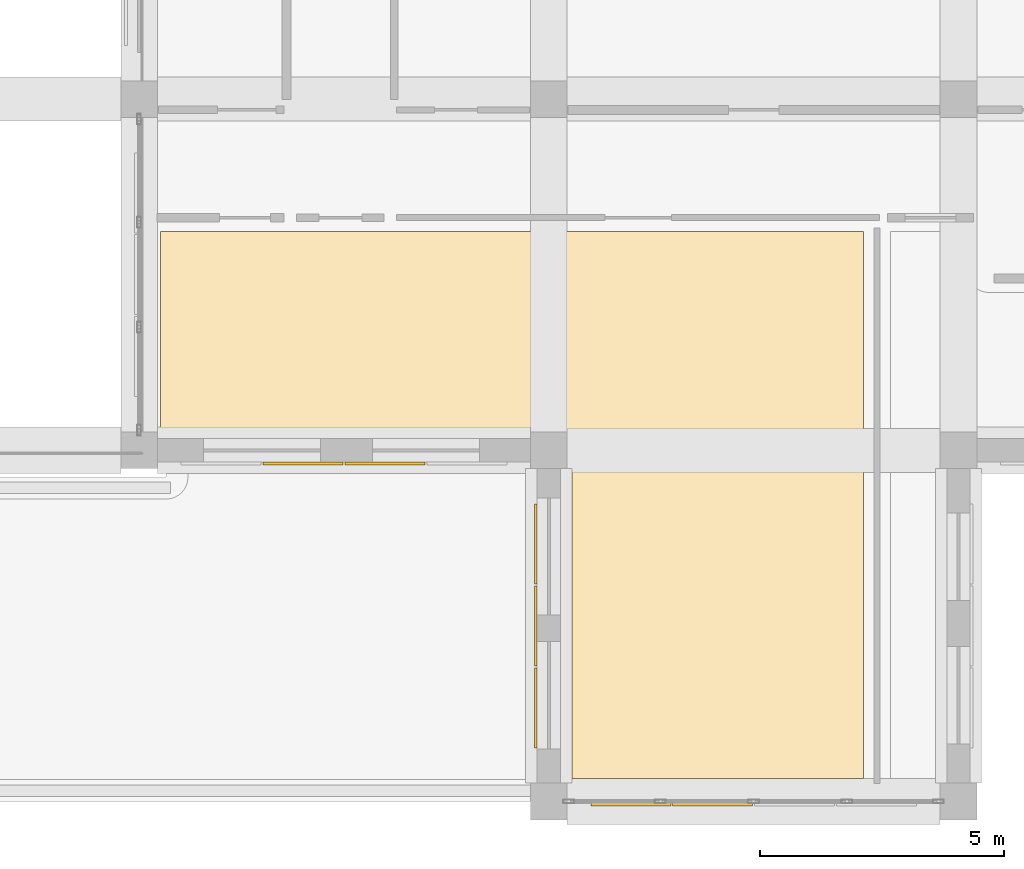
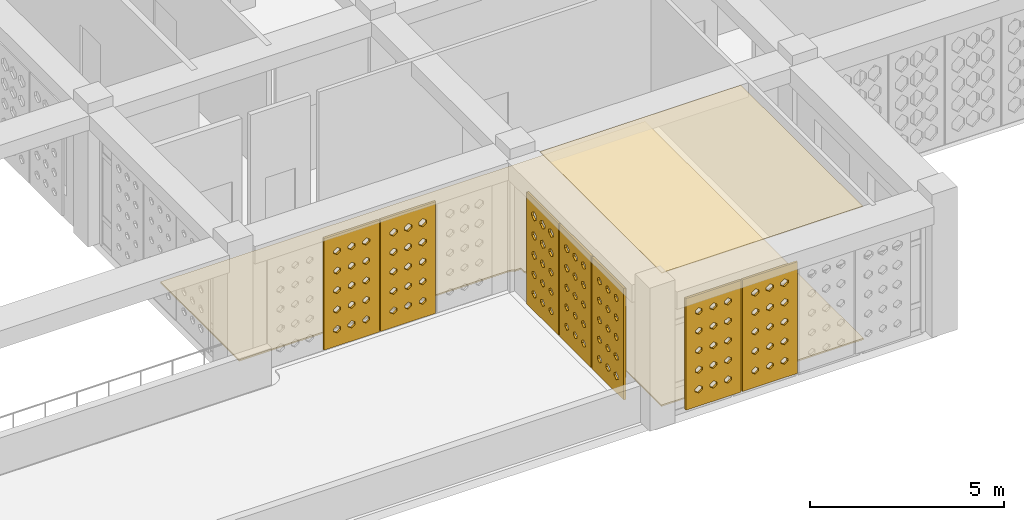
# One storey, part 82 of 111: 9 coverings.
"""IFC4 building model written with IfcOpenShell, lengths in metres."""

from ifc_helpers import new_model, si_unit, derived_unit, direction, frame, origin, place, context, subcontext, project, spatial, polyline, outline, extrude, material, layer, layer_set, type_object, element, save


model = new_model("IFC4")

# Units and contexts
model_context = context("Model", 3, precision=1e-05, world=origin(), true_north=direction((0.0, 1.0)))
body_context = subcontext(model_context, "Body", "Model", "MODEL_VIEW")
ifc_project = project(units=[si_unit("LENGTHUNIT", "METRE"), si_unit("AREAUNIT", "SQUARE_METRE"), si_unit("VOLUMEUNIT", "CUBIC_METRE"), si_unit("PLANEANGLEUNIT", "RADIAN"), si_unit("MASSUNIT", "GRAM", prefix="KILO"), derived_unit("THERMALTRANSMITTANCEUNIT", [(si_unit("POWERUNIT", "WATT"), 1), (si_unit("LENGTHUNIT", "METRE"), -2), (si_unit("THERMODYNAMICTEMPERATUREUNIT", "KELVIN"), -1)])], contexts=[model_context])

# Site, building, storey
site_placement = place(None, origin())
site = spatial("IfcSite", under=ifc_project, at=site_placement, CompositionType="ELEMENT")
building_placement = place(site_placement, origin())
building = spatial("IfcBuilding", under=site, at=building_placement, Name="Veybourne Emporium", CompositionType="ELEMENT")
storey_placement = place(building_placement, frame((0.0, 0.0, 9.89990234375)))
storey = spatial("IfcBuildingStorey", under=building, at=storey_placement, Name="L02", CompositionType="ELEMENT", Elevation=9.89990234375)

# Coverings
ifc_material_1 = material(Name="Mineral Acoustic Ceiling", Category="gypsum")
ifc_layer_1 = layer(ifc_material_1, 0.02490234375)
ifc_layer_set_1 = layer_set([ifc_layer_1], Name="Mineral Acoustic Ceiling")
covering_type_1 = type_object("IfcCoveringType", Name="Ceiling_CLG-01", PredefinedType="CEILING", material=ifc_layer_set_1)
covering_1_placement = place(storey_placement, frame((0.0, 0.0, 4.155029296875)))
element("IfcCovering", 1, at=covering_1_placement, inside=storey, type_object=covering_type_1, Name="L02 coffered acoustic ceiling 03", PredefinedType="CEILING", context=body_context, shape_type="SweptSolid", body=[
    extrude(outline(polyline([(82.050048828125, 0.472900390625), (76.072998046875, 0.472900390625), (76.072998046875, 6.751953125), (82.050048828125, 6.751953125), (82.050048828125, 0.472900390625)])), origin(), (0.0, 0.0, 1.0), 0.025146484375),
])
ifc_material_2 = material(Name="Venetian Terrazzo Flooring", Category="masonry")
ifc_layer_2 = layer(ifc_material_2, 0.044921875)
ifc_layer_set_2 = layer_set([ifc_layer_2], Name="Venetian Terrazzo Flooring")
covering_type_2 = type_object("IfcCoveringType", Name="Flooring_FLR-01", PredefinedType="FLOORING", material=ifc_layer_set_2)
covering_2_placement = place(storey_placement, origin())
element("IfcCovering", 2, at=covering_2_placement, inside=storey, type_object=covering_type_2, Name="L02 floor finish 03", PredefinedType="FLOORING", context=body_context, shape_type="SweptSolid", body=[
    extrude(outline(polyline([(76.0400390625, 7.199951171875), (76.039794921875, 7.2099609375), (76.03857421875, 7.2333984375), (76.03662109375, 7.2529296875), (76.033203125, 7.276123046875), (76.029296875, 7.29541015625), (76.023681640625, 7.318359375), (76.01806640625, 7.337158203125), (76.010009765625, 7.359375), (76.00244140625, 7.37744140625), (75.992431640625, 7.398681640625), (75.983154296875, 7.416015625), (75.97998046875, 7.42138671875), (75.97998046875, 7.580078125), (75.8212890625, 7.580078125), (75.81591796875, 7.583251953125), (75.798583984375, 7.592529296875), (75.77734375, 7.6025390625), (75.75927734375, 7.610107421875), (75.737060546875, 7.617919921875), (75.71826171875, 7.623779296875), (75.6953125, 7.62939453125), (75.676025390625, 7.63330078125), (75.65283203125, 7.63671875), (75.63330078125, 7.638671875), (75.60986328125, 7.6396484375), (75.60009765625, 7.639892578125), (67.639892578125, 7.639892578125), (67.639892578125, 11.68994140625), (82.050048828125, 11.68994140625), (82.050048828125, 0.43994140625), (76.0400390625, 0.43994140625), (76.0400390625, 7.199951171875)])), origin(), (0.0, 0.0, 1.0), 0.045166015625),
])
ifc_material_3 = material(Name="Warm-White Perforated Aluminium Screen Alloy", Category="aluminium")
ifc_layer_3 = layer(ifc_material_3, 0.06005859375)
ifc_layer_set_3 = layer_set([ifc_layer_3], Name="Warm-White Perforated Aluminium Screen Alloy")
covering_type_3 = type_object("IfcCoveringType", Name="WaveScreen_SCR-01", PredefinedType="CLADDING", material=ifc_layer_set_3)
covering_3_placement = place(storey_placement, frame((70.56005859375, 6.90185546875, 1.815185546875), z_axis=(0.0, 1.0, 0.0), x_axis=(-1.0, 0.0, 0.0)))
element("IfcCovering", 3, at=covering_3_placement, inside=storey, type_object=covering_type_3, Name="L02 wave-perforated aluminium screen SCR-01 (35.3)", PredefinedType="CLADDING", context=body_context, shape_type="SweptSolid", body=[
    extrude(outline(polyline([(-0.81982421875, -1.7548828125), (0.81982421875, -1.7548828125), (0.81982421875, 1.7548828125), (-0.81982421875, 1.7548828125), (-0.81982421875, -1.7548828125)]), holes=[polyline([(-0.433349609375, -1.114013671875), (-0.330078125, -1.18701171875), (-0.330078125, -1.26904296875), (-0.433349609375, -1.342041015625), (-0.53662109375, -1.26904296875), (-0.53662109375, -1.18701171875), (-0.433349609375, -1.114013671875)]), polyline([(-0.433349609375, -0.503173828125), (-0.33251953125, -0.57421875), (-0.33251953125, -0.65380859375), (-0.433349609375, -0.724853515625), (-0.533935546875, -0.65380859375), (-0.533935546875, -0.57421875), (-0.433349609375, -0.503173828125)]), polyline([(-0.433349609375, 0.110107421875), (-0.333251953125, 0.03955078125), (-0.333251953125, -0.03955078125), (-0.433349609375, -0.110107421875), (-0.533447265625, -0.03955078125), (-0.533447265625, 0.03955078125), (-0.433349609375, 0.110107421875)]), polyline([(-0.433349609375, 0.7255859375), (-0.33203125, 0.654296875), (-0.33203125, 0.57373046875), (-0.433349609375, 0.50244140625), (-0.53466796875, 0.57373046875), (-0.53466796875, 0.654296875), (-0.433349609375, 0.7255859375)]), polyline([(-0.433349609375, 1.343505859375), (-0.32861328125, 1.26953125), (-0.32861328125, 1.186279296875), (-0.433349609375, 1.1123046875), (-0.537841796875, 1.186279296875), (-0.537841796875, 1.26953125), (-0.433349609375, 1.343505859375)]), polyline([(0.0, -1.11181640625), (0.105224609375, -1.18603515625), (0.105224609375, -1.27001953125), (0.0, -1.34423828125), (-0.105224609375, -1.27001953125), (-0.105224609375, -1.18603515625), (0.0, -1.11181640625)]), polyline([(0.0, -0.501953125), (0.101806640625, -0.57373046875), (0.101806640625, -0.654296875), (0.0, -0.72607421875), (-0.101806640625, -0.654296875), (-0.101806640625, -0.57373046875), (0.0, -0.501953125)]), polyline([(0.0, 0.110107421875), (0.10009765625, 0.03955078125), (0.10009765625, -0.03955078125), (0.0, -0.110107421875), (-0.10009765625, -0.03955078125), (-0.10009765625, 0.03955078125), (0.0, 0.110107421875)]), polyline([(0.0, 0.724609375), (0.1005859375, 0.65380859375), (0.1005859375, 0.57421875), (0.0, 0.50341796875), (-0.1005859375, 0.57421875), (-0.1005859375, 0.65380859375), (0.0, 0.724609375)]), polyline([(0.0, 1.341552734375), (0.102783203125, 1.268798828125), (0.102783203125, 1.18701171875), (0.0, 1.114501953125), (-0.102783203125, 1.18701171875), (-0.102783203125, 1.268798828125), (0.0, 1.341552734375)]), polyline([(0.433349609375, -1.10888671875), (0.540771484375, -1.185302734375), (0.540771484375, -1.270751953125), (0.433349609375, -1.346923828125), (0.325927734375, -1.270751953125), (0.325927734375, -1.185302734375), (0.433349609375, -1.10888671875)]), polyline([(0.433349609375, -0.500244140625), (0.536376953125, -0.572998046875), (0.536376953125, -0.65478515625), (0.433349609375, -0.727783203125), (0.330322265625, -0.65478515625), (0.330322265625, -0.572998046875), (0.433349609375, -0.500244140625)]), polyline([(0.433349609375, 0.110595703125), (0.533935546875, 0.039794921875), (0.533935546875, -0.039794921875), (0.433349609375, -0.110595703125), (0.332763671875, -0.039794921875), (0.332763671875, 0.039794921875), (0.433349609375, 0.110595703125)]), polyline([(0.433349609375, 0.72412109375), (0.533447265625, 0.653564453125), (0.533447265625, 0.574462890625), (0.433349609375, 0.50390625), (0.333251953125, 0.574462890625), (0.333251953125, 0.653564453125), (0.433349609375, 0.72412109375)]), polyline([(0.433349609375, 1.33984375), (0.534912109375, 1.268310546875), (0.534912109375, 1.187744140625), (0.433349609375, 1.1162109375), (0.331787109375, 1.187744140625), (0.331787109375, 1.268310546875), (0.433349609375, 1.33984375)])]), origin(), (0.0, 0.0, 1.0), 0.06005859375),
])
covering_4_placement = place(storey_placement, frame((78.9599609375, -0.093994140625, 1.815185546875), z_axis=(0.0, 1.0, 0.0), x_axis=(-1.0, 0.0, 0.0)))
element("IfcCovering", 4, at=covering_4_placement, inside=storey, type_object=covering_type_3, Name="L02 wave-perforated aluminium screen SCR-01 (39C.3)", PredefinedType="CLADDING", context=body_context, shape_type="SweptSolid", body=[
    extrude(outline(polyline([(-0.81982421875, -1.7548828125), (0.81982421875, -1.7548828125), (0.81982421875, 1.7548828125), (-0.81982421875, 1.7548828125), (-0.81982421875, -1.7548828125)]), holes=[polyline([(-0.433349609375, -1.117919921875), (-0.333251953125, -1.188232421875), (-0.333251953125, -1.267578125), (-0.433349609375, -1.338134765625), (-0.533447265625, -1.267578125), (-0.533447265625, -1.188232421875), (-0.433349609375, -1.117919921875)]), polyline([(-0.433349609375, -0.50341796875), (-0.3330078125, -0.57421875), (-0.3330078125, -0.65380859375), (-0.433349609375, -0.724609375), (-0.53369140625, -0.65380859375), (-0.53369140625, -0.57421875), (-0.433349609375, -0.50341796875)]), polyline([(-0.433349609375, 0.11328125), (-0.330810546875, 0.040771484375), (-0.330810546875, -0.040771484375), (-0.433349609375, -0.11328125), (-0.535888671875, -0.040771484375), (-0.535888671875, 0.040771484375), (-0.433349609375, 0.11328125)]), polyline([(-0.433349609375, 0.732421875), (-0.326416015625, 0.656494140625), (-0.326416015625, 0.5712890625), (-0.433349609375, 0.49560546875), (-0.5400390625, 0.5712890625), (-0.5400390625, 0.656494140625), (-0.433349609375, 0.732421875)]), polyline([(-0.433349609375, 1.353515625), (-0.320556640625, 1.273193359375), (-0.320556640625, 1.182861328125), (-0.433349609375, 1.102294921875), (-0.546142578125, 1.182861328125), (-0.546142578125, 1.273193359375), (-0.433349609375, 1.353515625)]), polyline([(0.0, -1.1171875), (0.1005859375, -1.18798828125), (0.1005859375, -1.267822265625), (0.0, -1.3388671875), (-0.1005859375, -1.267822265625), (-0.1005859375, -1.18798828125), (0.0, -1.1171875)]), polyline([(0.0, -0.50390625), (0.10009765625, -0.574462890625), (0.10009765625, -0.653564453125), (0.0, -0.72412109375), (-0.10009765625, -0.653564453125), (-0.10009765625, -0.574462890625), (0.0, -0.50390625)]), polyline([(0.0, 0.11181640625), (0.101318359375, 0.040283203125), (0.101318359375, -0.040283203125), (0.0, -0.11181640625), (-0.101318359375, -0.040283203125), (-0.101318359375, 0.040283203125), (0.0, 0.11181640625)]), polyline([(0.0, 0.729736328125), (0.104736328125, 0.65576171875), (0.104736328125, 0.572265625), (0.0, 0.498291015625), (-0.104736328125, 0.572265625), (-0.104736328125, 0.65576171875), (0.0, 0.729736328125)]), polyline([(0.0, 1.35009765625), (0.10986328125, 1.27197265625), (0.10986328125, 1.18408203125), (0.0, 1.10595703125), (-0.10986328125, 1.18408203125), (-0.10986328125, 1.27197265625), (0.0, 1.35009765625)]), polyline([(0.433349609375, -1.115966796875), (0.534912109375, -1.187744140625), (0.534912109375, -1.268310546875), (0.433349609375, -1.340087890625), (0.331787109375, -1.268310546875), (0.331787109375, -1.187744140625), (0.433349609375, -1.115966796875)]), polyline([(0.433349609375, -0.50390625), (0.533447265625, -0.574462890625), (0.533447265625, -0.653564453125), (0.433349609375, -0.72412109375), (0.333251953125, -0.653564453125), (0.333251953125, -0.574462890625), (0.433349609375, -0.50390625)]), polyline([(0.433349609375, 0.110595703125), (0.533935546875, 0.039794921875), (0.533935546875, -0.039794921875), (0.433349609375, -0.110595703125), (0.332763671875, -0.039794921875), (0.332763671875, 0.039794921875), (0.433349609375, 0.110595703125)]), polyline([(0.433349609375, 0.7275390625), (0.536376953125, 0.65478515625), (0.536376953125, 0.572998046875), (0.433349609375, 0.50048828125), (0.330322265625, 0.572998046875), (0.330322265625, 0.65478515625), (0.433349609375, 0.7275390625)]), polyline([(0.433349609375, 1.346923828125), (0.54052734375, 1.270751953125), (0.54052734375, 1.185302734375), (0.433349609375, 1.109130859375), (0.326171875, 1.185302734375), (0.326171875, 1.270751953125), (0.433349609375, 1.346923828125)])]), origin(), (0.0, 0.0, 1.0), 0.06005859375),
])
covering_5_placement = place(storey_placement, frame((75.302001953125, 1.919921875, 1.815185546875), z_axis=(1.0, 0.0, 0.0), x_axis=(0.0, 1.0, 0.0)))
element("IfcCovering", 5, at=covering_5_placement, inside=storey, type_object=covering_type_3, Name="L02 wave-perforated aluminium screen SCR-01 (41.1)", PredefinedType="CLADDING", context=body_context, shape_type="SweptSolid", body=[
    extrude(outline(polyline([(-0.81982421875, -1.7548828125), (0.81982421875, -1.7548828125), (0.81982421875, 1.7548828125), (-0.81982421875, 1.7548828125), (-0.81982421875, -1.7548828125)]), holes=[polyline([(-0.433349609375, -1.107421875), (-0.32470703125, -1.1845703125), (-0.32470703125, -1.271484375), (-0.433349609375, -1.3486328125), (-0.5419921875, -1.271484375), (-0.5419921875, -1.1845703125), (-0.433349609375, -1.107421875)]), polyline([(-0.433349609375, -0.499267578125), (-0.329345703125, -0.57275390625), (-0.329345703125, -0.6552734375), (-0.433349609375, -0.728759765625), (-0.537353515625, -0.6552734375), (-0.537353515625, -0.57275390625), (-0.433349609375, -0.499267578125)]), polyline([(-0.433349609375, 0.111083984375), (-0.332275390625, 0.0400390625), (-0.332275390625, -0.0400390625), (-0.433349609375, -0.111083984375), (-0.5341796875, -0.0400390625), (-0.5341796875, 0.0400390625), (-0.433349609375, 0.111083984375)]), polyline([(-0.433349609375, 0.72412109375), (-0.333251953125, 0.653564453125), (-0.333251953125, 0.574462890625), (-0.433349609375, 0.50390625), (-0.533203125, 0.574462890625), (-0.533203125, 0.653564453125), (-0.433349609375, 0.72412109375)]), polyline([(-0.433349609375, 1.339111328125), (-0.332275390625, 1.26806640625), (-0.332275390625, 1.18798828125), (-0.433349609375, 1.11669921875), (-0.5341796875, 1.18798828125), (-0.5341796875, 1.26806640625), (-0.433349609375, 1.339111328125)]), polyline([(0.0, -1.110107421875), (0.106201171875, -1.185546875), (0.106201171875, -1.2705078125), (0.0, -1.345703125), (-0.106201171875, -1.2705078125), (-0.106201171875, -1.185546875), (0.0, -1.110107421875)]), polyline([(0.0, -0.501220703125), (0.102294921875, -0.573486328125), (0.102294921875, -0.654541015625), (0.0, -0.726806640625), (-0.102294921875, -0.654541015625), (-0.102294921875, -0.573486328125), (0.0, -0.501220703125)]), polyline([(0.0, 0.1103515625), (0.100341796875, 0.039794921875), (0.100341796875, -0.039794921875), (0.0, -0.1103515625), (-0.100341796875, -0.039794921875), (-0.100341796875, 0.039794921875), (0.0, 0.1103515625)]), polyline([(0.0, 0.724365234375), (0.10009765625, 0.65380859375), (0.10009765625, 0.57421875), (0.0, 0.503662109375), (-0.10009765625, 0.57421875), (-0.10009765625, 0.65380859375), (0.0, 0.724365234375)]), polyline([(0.0, 1.340576171875), (0.10205078125, 1.2685546875), (0.10205078125, 1.1875), (0.0, 1.115478515625), (-0.10205078125, 1.1875), (-0.10205078125, 1.2685546875), (0.0, 1.340576171875)]), polyline([(0.433349609375, -1.11279296875), (0.53759765625, -1.1865234375), (0.53759765625, -1.26953125), (0.433349609375, -1.34326171875), (0.3291015625, -1.26953125), (0.3291015625, -1.1865234375), (0.433349609375, -1.11279296875)]), polyline([(0.433349609375, -0.502685546875), (0.534423828125, -0.573974609375), (0.534423828125, -0.654052734375), (0.433349609375, -0.725341796875), (0.332275390625, -0.654052734375), (0.332275390625, -0.573974609375), (0.433349609375, -0.502685546875)]), polyline([(0.433349609375, 0.110107421875), (0.533203125, 0.03955078125), (0.533203125, -0.03955078125), (0.433349609375, -0.110107421875), (0.333251953125, -0.03955078125), (0.333251953125, 0.03955078125), (0.433349609375, 0.110107421875)]), polyline([(0.433349609375, 0.72509765625), (0.5341796875, 0.654052734375), (0.5341796875, 0.573974609375), (0.433349609375, 0.5029296875), (0.33251953125, 0.573974609375), (0.33251953125, 0.654052734375), (0.433349609375, 0.72509765625)]), polyline([(0.433349609375, 1.34228515625), (0.536865234375, 1.269287109375), (0.536865234375, 1.186767578125), (0.433349609375, 1.113525390625), (0.32958984375, 1.186767578125), (0.32958984375, 1.269287109375), (0.433349609375, 1.34228515625)])]), origin(), (0.0, 0.0, 1.0), 0.06005859375),
])
ifc_layer_4 = layer(ifc_material_3, 0.06005859375)
ifc_layer_set_4 = layer_set([ifc_layer_4], Name="Warm-White Perforated Aluminium Screen Alloy")
covering_type_4 = type_object("IfcCoveringType", Name="WaveScreen_SCR-02", PredefinedType="CLADDING", material=ifc_layer_set_4)
covering_6_placement = place(storey_placement, frame((77.280029296875, -0.093994140625, 1.815185546875), z_axis=(0.0, 1.0, 0.0), x_axis=(-1.0, 0.0, 0.0)))
element("IfcCovering", 6, at=covering_6_placement, inside=storey, type_object=covering_type_4, Name="L02 wave-perforated aluminium screen SCR-02 (39C.4)", PredefinedType="CLADDING", context=body_context, shape_type="SweptSolid", body=[
    extrude(outline(polyline([(-0.81982421875, -1.7548828125), (0.81982421875, -1.7548828125), (0.81982421875, 1.7548828125), (-0.81982421875, 1.7548828125), (-0.81982421875, -1.7548828125)]), holes=[polyline([(-0.433349609375, -1.112548828125), (-0.328857421875, -1.186279296875), (-0.328857421875, -1.26953125), (-0.433349609375, -1.343505859375), (-0.537841796875, -1.26953125), (-0.537841796875, -1.186279296875), (-0.433349609375, -1.112548828125)]), polyline([(-0.433349609375, -0.50244140625), (-0.33203125, -0.57373046875), (-0.33203125, -0.654296875), (-0.433349609375, -0.7255859375), (-0.53466796875, -0.654296875), (-0.53466796875, -0.57373046875), (-0.433349609375, -0.50244140625)]), polyline([(-0.433349609375, 0.110107421875), (-0.333251953125, 0.03955078125), (-0.333251953125, -0.03955078125), (-0.433349609375, -0.110107421875), (-0.533203125, -0.03955078125), (-0.533203125, 0.03955078125), (-0.433349609375, 0.110107421875)]), polyline([(-0.433349609375, 0.724853515625), (-0.33251953125, 0.65380859375), (-0.33251953125, 0.57421875), (-0.433349609375, 0.503173828125), (-0.5341796875, 0.57421875), (-0.5341796875, 0.65380859375), (-0.433349609375, 0.724853515625)]), polyline([(-0.433349609375, 1.34228515625), (-0.329833984375, 1.26904296875), (-0.329833984375, 1.18701171875), (-0.433349609375, 1.11376953125), (-0.536865234375, 1.18701171875), (-0.536865234375, 1.26904296875), (-0.433349609375, 1.34228515625)]), polyline([(0.0, -1.110107421875), (0.1064453125, -1.185546875), (0.1064453125, -1.2705078125), (0.0, -1.345947265625), (-0.1064453125, -1.2705078125), (-0.1064453125, -1.185546875), (0.0, -1.110107421875)]), polyline([(0.0, -0.5009765625), (0.1025390625, -0.5732421875), (0.1025390625, -0.65478515625), (0.0, -0.72705078125), (-0.1025390625, -0.65478515625), (-0.1025390625, -0.5732421875), (0.0, -0.5009765625)]), polyline([(0.0, 0.1103515625), (0.100341796875, 0.039794921875), (0.100341796875, -0.039794921875), (0.0, -0.1103515625), (-0.100341796875, -0.039794921875), (-0.100341796875, 0.039794921875), (0.0, 0.1103515625)]), polyline([(0.0, 0.72412109375), (0.10009765625, 0.65380859375), (0.10009765625, 0.57421875), (0.0, 0.50390625), (-0.10009765625, 0.57421875), (-0.10009765625, 0.65380859375), (0.0, 0.72412109375)]), polyline([(0.0, 1.34033203125), (0.10205078125, 1.2685546875), (0.10205078125, 1.1875), (0.0, 1.115478515625), (-0.10205078125, 1.1875), (-0.10205078125, 1.2685546875), (0.0, 1.34033203125)]), polyline([(0.433349609375, -1.10693359375), (0.542236328125, -1.1845703125), (0.542236328125, -1.271484375), (0.433349609375, -1.34912109375), (0.324462890625, -1.271484375), (0.324462890625, -1.1845703125), (0.433349609375, -1.10693359375)]), polyline([(0.433349609375, -0.4990234375), (0.537353515625, -0.572509765625), (0.537353515625, -0.655517578125), (0.433349609375, -0.72900390625), (0.329345703125, -0.655517578125), (0.329345703125, -0.572509765625), (0.433349609375, -0.4990234375)]), polyline([(0.433349609375, 0.111328125), (0.534423828125, 0.0400390625), (0.534423828125, -0.0400390625), (0.433349609375, -0.111328125), (0.332275390625, -0.0400390625), (0.332275390625, 0.0400390625), (0.433349609375, 0.111328125)]), polyline([(0.433349609375, 0.72412109375), (0.533203125, 0.653564453125), (0.533203125, 0.574462890625), (0.433349609375, 0.50390625), (0.333251953125, 0.574462890625), (0.333251953125, 0.653564453125), (0.433349609375, 0.72412109375)]), polyline([(0.433349609375, 1.339111328125), (0.5341796875, 1.26806640625), (0.5341796875, 1.18798828125), (0.433349609375, 1.116943359375), (0.33251953125, 1.18798828125), (0.33251953125, 1.26806640625), (0.433349609375, 1.339111328125)])]), origin(), (0.0, 0.0, 1.0), 0.06005859375),
])
covering_7_placement = place(storey_placement, frame((75.302001953125, 3.60009765625, 1.815185546875), z_axis=(1.0, 0.0, 0.0), x_axis=(0.0, 1.0, 0.0)))
element("IfcCovering", 7, at=covering_7_placement, inside=storey, type_object=covering_type_4, Name="L02 wave-perforated aluminium screen SCR-02 (41.2)", PredefinedType="CLADDING", context=body_context, shape_type="SweptSolid", body=[
    extrude(outline(polyline([(-0.81982421875, -1.7548828125), (0.81982421875, -1.7548828125), (0.81982421875, 1.7548828125), (-0.81982421875, 1.7548828125), (-0.81982421875, -1.7548828125)]), holes=[polyline([(-0.433349609375, -1.1162109375), (-0.331787109375, -1.187744140625), (-0.331787109375, -1.268310546875), (-0.433349609375, -1.33984375), (-0.534912109375, -1.268310546875), (-0.534912109375, -1.187744140625), (-0.433349609375, -1.1162109375)]), polyline([(-0.433349609375, -0.50390625), (-0.333251953125, -0.574462890625), (-0.333251953125, -0.653564453125), (-0.433349609375, -0.72412109375), (-0.533447265625, -0.653564453125), (-0.533447265625, -0.574462890625), (-0.433349609375, -0.50390625)]), polyline([(-0.433349609375, 0.110595703125), (-0.332763671875, 0.039794921875), (-0.332763671875, -0.039794921875), (-0.433349609375, -0.110595703125), (-0.533935546875, -0.039794921875), (-0.533935546875, 0.039794921875), (-0.433349609375, 0.110595703125)]), polyline([(-0.433349609375, 0.727783203125), (-0.330322265625, 0.655029296875), (-0.330322265625, 0.572998046875), (-0.433349609375, 0.500244140625), (-0.536376953125, 0.572998046875), (-0.536376953125, 0.655029296875), (-0.433349609375, 0.727783203125)]), polyline([(-0.433349609375, 1.34716796875), (-0.325927734375, 1.27099609375), (-0.325927734375, 1.18505859375), (-0.433349609375, 1.10888671875), (-0.540771484375, 1.18505859375), (-0.540771484375, 1.27099609375), (-0.433349609375, 1.34716796875)]), polyline([(0.0, -1.1171875), (0.1005859375, -1.18798828125), (0.1005859375, -1.267822265625), (0.0, -1.338623046875), (-0.1005859375, -1.267822265625), (-0.1005859375, -1.18798828125), (0.0, -1.1171875)]), polyline([(0.0, -0.50390625), (0.10009765625, -0.574462890625), (0.10009765625, -0.653564453125), (0.0, -0.72412109375), (-0.10009765625, -0.653564453125), (-0.10009765625, -0.574462890625), (0.0, -0.50390625)]), polyline([(0.0, 0.11181640625), (0.1015625, 0.040283203125), (0.1015625, -0.040283203125), (0.0, -0.11181640625), (-0.1015625, -0.040283203125), (-0.1015625, 0.040283203125), (0.0, 0.11181640625)]), polyline([(0.0, 0.72998046875), (0.104736328125, 0.65576171875), (0.104736328125, 0.572265625), (0.0, 0.498046875), (-0.104736328125, 0.572265625), (-0.104736328125, 0.65576171875), (0.0, 0.72998046875)]), polyline([(0.0, 1.350341796875), (0.110107421875, 1.27197265625), (0.110107421875, 1.18408203125), (0.0, 1.105712890625), (-0.110107421875, 1.18408203125), (-0.110107421875, 1.27197265625), (0.0, 1.350341796875)]), polyline([(0.433349609375, -1.117919921875), (0.533447265625, -1.1884765625), (0.533447265625, -1.267578125), (0.433349609375, -1.338134765625), (0.333251953125, -1.267578125), (0.333251953125, -1.1884765625), (0.433349609375, -1.117919921875)]), polyline([(0.433349609375, -0.50341796875), (0.53369140625, -0.57421875), (0.53369140625, -0.65380859375), (0.433349609375, -0.724609375), (0.3330078125, -0.65380859375), (0.3330078125, -0.57421875), (0.433349609375, -0.50341796875)]), polyline([(0.433349609375, 0.11328125), (0.5361328125, 0.040771484375), (0.5361328125, -0.040771484375), (0.433349609375, -0.11328125), (0.33056640625, -0.040771484375), (0.33056640625, 0.040771484375), (0.433349609375, 0.11328125)]), polyline([(0.433349609375, 0.732421875), (0.540283203125, 0.65673828125), (0.540283203125, 0.5712890625), (0.433349609375, 0.49560546875), (0.326416015625, 0.5712890625), (0.326416015625, 0.65673828125), (0.433349609375, 0.732421875)]), polyline([(0.433349609375, 1.35400390625), (0.54638671875, 1.273193359375), (0.54638671875, 1.1826171875), (0.433349609375, 1.10205078125), (0.3203125, 1.1826171875), (0.3203125, 1.273193359375), (0.433349609375, 1.35400390625)])]), origin(), (0.0, 0.0, 1.0), 0.06005859375),
])
ifc_layer_5 = layer(ifc_material_3, 0.06005859375)
ifc_layer_set_5 = layer_set([ifc_layer_5], Name="Warm-White Perforated Aluminium Screen Alloy")
covering_type_5 = type_object("IfcCoveringType", Name="WaveScreen_SCR-03", PredefinedType="CLADDING", material=ifc_layer_set_5)
covering_8_placement = place(storey_placement, frame((75.302001953125, 5.280029296875, 1.815185546875), z_axis=(1.0, 0.0, 0.0), x_axis=(0.0, 1.0, 0.0)))
element("IfcCovering", 8, at=covering_8_placement, inside=storey, type_object=covering_type_5, Name="L02 wave-perforated aluminium screen SCR-03 (41.3)", PredefinedType="CLADDING", context=body_context, shape_type="SweptSolid", body=[
    extrude(outline(polyline([(-0.81982421875, -1.7548828125), (0.81982421875, -1.7548828125), (0.81982421875, 1.7548828125), (-0.81982421875, 1.7548828125), (-0.81982421875, -1.7548828125)]), holes=[polyline([(-0.433349609375, -1.11767578125), (-0.3330078125, -1.188232421875), (-0.3330078125, -1.267578125), (-0.433349609375, -1.33837890625), (-0.53369140625, -1.267578125), (-0.53369140625, -1.188232421875), (-0.433349609375, -1.11767578125)]), polyline([(-0.433349609375, -0.501220703125), (-0.3310546875, -0.573486328125), (-0.3310546875, -0.654541015625), (-0.433349609375, -0.726806640625), (-0.53564453125, -0.654541015625), (-0.53564453125, -0.573486328125), (-0.433349609375, -0.501220703125)]), polyline([(-0.433349609375, 0.11767578125), (-0.3271484375, 0.042236328125), (-0.3271484375, -0.042236328125), (-0.433349609375, -0.11767578125), (-0.53955078125, -0.042236328125), (-0.53955078125, 0.042236328125), (-0.433349609375, 0.11767578125)]), polyline([(-0.433349609375, 0.73876953125), (-0.3212890625, 0.658935546875), (-0.3212890625, 0.569091796875), (-0.433349609375, 0.4892578125), (-0.54541015625, 0.569091796875), (-0.54541015625, 0.658935546875), (-0.433349609375, 0.73876953125)]), polyline([(-0.433349609375, 1.36181640625), (-0.31396484375, 1.276123046875), (-0.31396484375, 1.179931640625), (-0.433349609375, 1.09423828125), (-0.552734375, 1.179931640625), (-0.552734375, 1.276123046875), (-0.433349609375, 1.36181640625)]), polyline([(0.0, -1.11669921875), (0.100830078125, -1.18798828125), (0.100830078125, -1.26806640625), (0.0, -1.339111328125), (-0.100830078125, -1.26806640625), (-0.100830078125, -1.18798828125), (0.0, -1.11669921875)]), polyline([(0.0, -0.499267578125), (0.10400390625, -0.57275390625), (0.10400390625, -0.6552734375), (0.0, -0.728759765625), (-0.10400390625, -0.6552734375), (-0.10400390625, -0.57275390625), (0.0, -0.499267578125)]), polyline([(0.0, 0.12060546875), (0.108642578125, 0.04345703125), (0.108642578125, -0.04345703125), (0.0, -0.12060546875), (-0.108642578125, -0.04345703125), (-0.108642578125, 0.04345703125), (0.0, 0.12060546875)]), polyline([(0.0, 0.742431640625), (0.115234375, 0.660400390625), (0.115234375, 0.567626953125), (0.0, 0.485595703125), (-0.115234375, 0.567626953125), (-0.115234375, 0.660400390625), (0.0, 0.742431640625)]), polyline([(0.0, 1.366455078125), (0.123291015625, 1.27783203125), (0.123291015625, 1.17822265625), (0.0, 1.089599609375), (-0.123291015625, 1.17822265625), (-0.123291015625, 1.27783203125), (0.0, 1.366455078125)]), polyline([(0.433349609375, -1.115478515625), (0.535400390625, -1.1875), (0.535400390625, -1.2685546875), (0.433349609375, -1.340576171875), (0.331298828125, -1.2685546875), (0.331298828125, -1.1875), (0.433349609375, -1.115478515625)]), polyline([(0.433349609375, -0.496826171875), (0.5390625, -0.57177734375), (0.5390625, -0.65625), (0.433349609375, -0.731201171875), (0.327392578125, -0.65625), (0.327392578125, -0.57177734375), (0.433349609375, -0.496826171875)]), polyline([(0.433349609375, 0.123779296875), (0.544677734375, 0.044677734375), (0.544677734375, -0.044677734375), (0.433349609375, -0.123779296875), (0.322021484375, -0.044677734375), (0.322021484375, 0.044677734375), (0.433349609375, 0.123779296875)]), polyline([(0.433349609375, 0.746826171875), (0.552001953125, 0.661865234375), (0.552001953125, 0.566162109375), (0.433349609375, 0.481201171875), (0.314697265625, 0.566162109375), (0.314697265625, 0.661865234375), (0.433349609375, 0.746826171875)]), polyline([(0.433349609375, 1.371337890625), (0.560791015625, 1.279541015625), (0.560791015625, 1.176513671875), (0.433349609375, 1.084716796875), (0.305908203125, 1.176513671875), (0.305908203125, 1.279541015625), (0.433349609375, 1.371337890625)])]), origin(), (0.0, 0.0, 1.0), 0.06005859375),
])
ifc_layer_6 = layer(ifc_material_3, 0.06005859375)
ifc_layer_set_6 = layer_set([ifc_layer_6], Name="Warm-White Perforated Aluminium Screen Alloy")
covering_type_6 = type_object("IfcCoveringType", Name="WaveScreen_SCR-04", PredefinedType="CLADDING", material=ifc_layer_set_6)
covering_9_placement = place(storey_placement, frame((72.239990234375, 6.90185546875, 1.815185546875), z_axis=(0.0, 1.0, 0.0), x_axis=(-1.0, 0.0, 0.0)))
element("IfcCovering", 9, at=covering_9_placement, inside=storey, type_object=covering_type_6, Name="L02 wave-perforated aluminium screen SCR-04 (35.2)", PredefinedType="CLADDING", context=body_context, shape_type="SweptSolid", body=[
    extrude(outline(polyline([(-0.81982421875, -1.7548828125), (0.81982421875, -1.7548828125), (0.81982421875, 1.7548828125), (-0.81982421875, 1.7548828125), (-0.81982421875, -1.7548828125)]), holes=[polyline([(-0.433349609375, -1.117919921875), (-0.333251953125, -1.1884765625), (-0.333251953125, -1.267578125), (-0.433349609375, -1.337890625), (-0.533203125, -1.267578125), (-0.533203125, -1.1884765625), (-0.433349609375, -1.117919921875)]), polyline([(-0.433349609375, -0.5029296875), (-0.33251953125, -0.573974609375), (-0.33251953125, -0.654052734375), (-0.433349609375, -0.72509765625), (-0.5341796875, -0.654052734375), (-0.5341796875, -0.573974609375), (-0.433349609375, -0.5029296875)]), polyline([(-0.433349609375, 0.114501953125), (-0.32958984375, 0.041259765625), (-0.32958984375, -0.041259765625), (-0.433349609375, -0.114501953125), (-0.537109375, -0.041259765625), (-0.537109375, 0.041259765625), (-0.433349609375, 0.114501953125)]), polyline([(-0.433349609375, 0.734130859375), (-0.324951171875, 0.6572265625), (-0.324951171875, 0.57080078125), (-0.433349609375, 0.493896484375), (-0.541748046875, 0.57080078125), (-0.541748046875, 0.6572265625), (-0.433349609375, 0.734130859375)]), polyline([(-0.433349609375, 1.356201171875), (-0.318603515625, 1.274169921875), (-0.318603515625, 1.181884765625), (-0.433349609375, 1.099853515625), (-0.548095703125, 1.181884765625), (-0.548095703125, 1.274169921875), (-0.433349609375, 1.356201171875)]), polyline([(0.0, -1.11767578125), (0.100341796875, -1.188232421875), (0.100341796875, -1.267578125), (0.0, -1.33837890625), (-0.100341796875, -1.267578125), (-0.100341796875, -1.188232421875), (0.0, -1.11767578125)]), polyline([(0.0, -0.503662109375), (0.10009765625, -0.57421875), (0.10009765625, -0.65380859375), (0.0, -0.724365234375), (-0.10009765625, -0.65380859375), (-0.10009765625, -0.57421875), (0.0, -0.503662109375)]), polyline([(0.0, 0.112548828125), (0.10205078125, 0.04052734375), (0.10205078125, -0.04052734375), (0.0, -0.112548828125), (-0.10205078125, -0.04052734375), (-0.10205078125, 0.04052734375), (0.0, 0.112548828125)]), polyline([(0.0, 0.731201171875), (0.10595703125, 0.65625), (0.10595703125, 0.57177734375), (0.0, 0.49658203125), (-0.10595703125, 0.57177734375), (-0.10595703125, 0.65625), (0.0, 0.731201171875)]), polyline([(0.0, 1.352294921875), (0.111572265625, 1.272705078125), (0.111572265625, 1.183349609375), (0.0, 1.103759765625), (-0.111572265625, 1.183349609375), (-0.111572265625, 1.272705078125), (0.0, 1.352294921875)]), polyline([(0.433349609375, -1.11669921875), (0.5341796875, -1.18798828125), (0.5341796875, -1.26806640625), (0.433349609375, -1.339111328125), (0.33251953125, -1.26806640625), (0.33251953125, -1.18798828125), (0.433349609375, -1.11669921875)]), polyline([(0.433349609375, -0.50390625), (0.533203125, -0.574462890625), (0.533203125, -0.653564453125), (0.433349609375, -0.72412109375), (0.333251953125, -0.653564453125), (0.333251953125, -0.574462890625), (0.433349609375, -0.50390625)]), polyline([(0.433349609375, 0.111328125), (0.534423828125, 0.0400390625), (0.534423828125, -0.0400390625), (0.433349609375, -0.111328125), (0.332275390625, -0.0400390625), (0.332275390625, 0.0400390625), (0.433349609375, 0.111328125)]), polyline([(0.433349609375, 0.72900390625), (0.537353515625, 0.655517578125), (0.537353515625, 0.572509765625), (0.433349609375, 0.4990234375), (0.329345703125, 0.572509765625), (0.329345703125, 0.655517578125), (0.433349609375, 0.72900390625)]), polyline([(0.433349609375, 1.348876953125), (0.542236328125, 1.271484375), (0.542236328125, 1.1845703125), (0.433349609375, 1.107177734375), (0.324462890625, 1.1845703125), (0.324462890625, 1.271484375), (0.433349609375, 1.348876953125)])]), origin(), (0.0, 0.0, 1.0), 0.06005859375),
])

save(model, "model.ifc")
